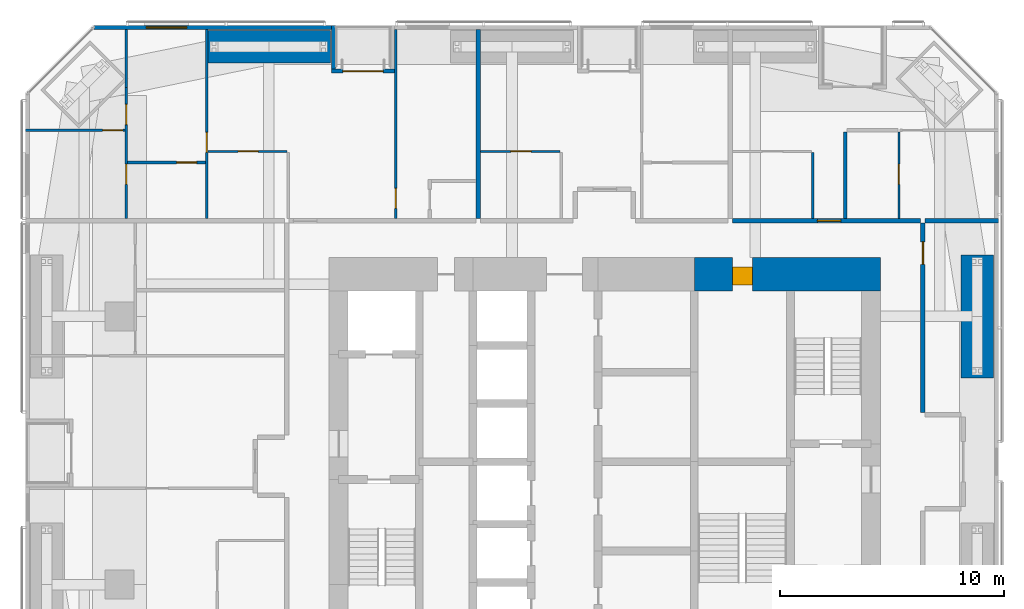
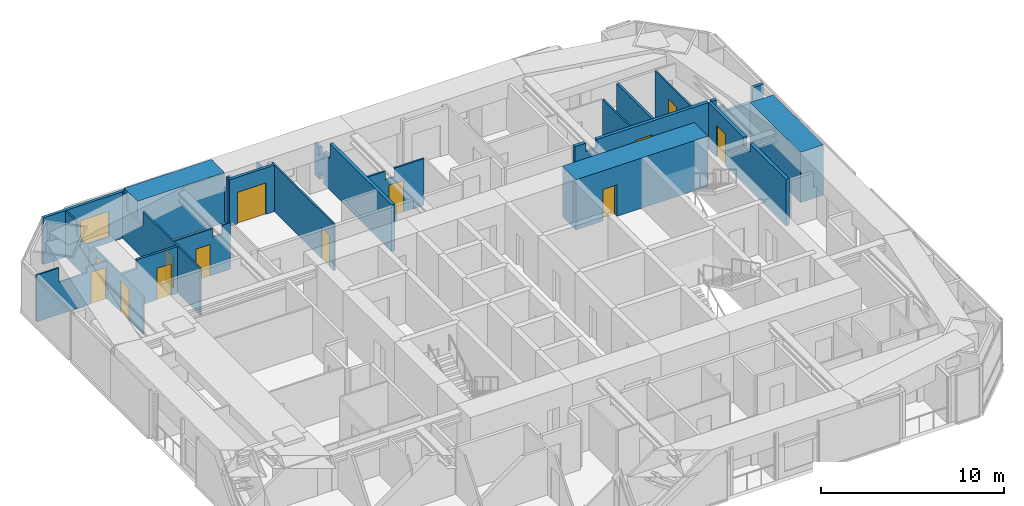
# One storey, part 21 of 23: 21 walls, 13 doors, 1 window, 14 openings.
"""IFC4 building model written with IfcOpenShell, lengths in metres."""

from ifc_helpers import new_model, si_unit, direction, frame, frame_2d, origin, place, context, subcontext, project, spatial, polyline, rectangle, outline, extrude, material, layer, layer_set, constituent, constituent_set, type_object, element, fill, save


model = new_model("IFC4")

# Units and contexts
model_context = context("Model", 3, precision=1e-05, world=origin(), true_north=direction((0.0, 1.0)))
body_context = subcontext(model_context, "Body", "Model", "MODEL_VIEW")
ifc_project = project(units=[si_unit("LENGTHUNIT", "METRE"), si_unit("AREAUNIT", "SQUARE_METRE"), si_unit("VOLUMEUNIT", "CUBIC_METRE"), si_unit("PLANEANGLEUNIT", "RADIAN"), si_unit("MASSUNIT", "GRAM", prefix="KILO")], contexts=[model_context])

# Site, building, storey
site_placement = place(None, origin())
site = spatial("IfcSite", under=ifc_project, at=site_placement, CompositionType="ELEMENT")
building_placement = place(site_placement, origin())
building = spatial("IfcBuilding", under=site, at=building_placement, Name="Jalousie Tower", CompositionType="ELEMENT")
storey_placement = place(building_placement, frame((0.0, 0.0, 88.10009765625)))
storey = spatial("IfcBuildingStorey", under=building, at=storey_placement, Name="L23", CompositionType="ELEMENT", Elevation=88.10009765625)

# Wall, opening, door
ifc_material_1 = material(Name="Concrete block ASTM C90", Category="concrete")
ifc_constituent_1 = constituent(ifc_material_1, Name="Body")
ifc_material_2 = material(Name="Render")
ifc_constituent_2 = constituent(ifc_material_2, Name="Finish")
ifc_constituent_set_1 = constituent_set(constituents=[ifc_constituent_1, ifc_constituent_2])
wall_type_1 = type_object("IfcWallType", Name="BATHROOM WALL 150", PredefinedType="PLUMBINGWALL", material=ifc_constituent_set_1)
wall_1_placement = place(storey_placement, frame((10.550048828125, 31.875, 0.0), z_axis=(0.0, 0.0, 1.0), x_axis=(1.0, 0.0, 0.0)))
wall_1 = element("IfcWall", 1, at=wall_1_placement, inside=storey, type_object=wall_type_1, Name="Bathroom Wall 150 L23", PredefinedType="PLUMBINGWALL", context=body_context, shape_type="SweptSolid", body=[
    extrude(outline(polyline([(0.0, 0.0), (3.5, 0.0), (3.5, 3.10986328125), (0.93505859375, 3.10986328125), (0.93505859375, 2.510009765625), (0.0, 2.510009765625), (0.0, 3.10986328125), (0.0, 0.0)])), frame((0.0, 0.074951171875, 0.0), z_axis=(0.0, -1.0, 0.0), x_axis=(1.0, 0.0, 0.0)), (0.0, 0.0, 1.0), 0.14990234375),
])
opening_1_placement = place(wall_1_placement, frame((2.199951171875, 0.0, 0.0)))
opening_1 = element("IfcOpeningElement", 2, at=opening_1_placement, cuts=wall_1, Name="Opening D3", PredefinedType="OPENING", context=body_context, shape_type="SweptSolid", body=[
    extrude(rectangle(XDim=0.89990234375, YDim=2.10009765625, at=frame_2d((0.449951171875, 1.050048828125))), frame((0.0, 0.0849609375, 0.0), z_axis=(0.0, -1.0, 0.0), x_axis=(1.0, 0.0, 0.0)), (0.0, 0.0, 1.0), 0.169921875),
])
ifc_material_3 = material(Name="Timber door", Category="wood")
door_type_1 = type_object("IfcDoorType", Name="BATHROOM DOOR 900", OperationType="SINGLE_SWING_LEFT", PredefinedType="DOOR", material=ifc_material_3)
door_1_placement = place(opening_1_placement, frame((0.89990234375, 0.0, 0.0), z_axis=(0.0, 0.0, 1.0), x_axis=(-1.0, 0.0, 0.0)))
door_1 = element("IfcDoor", 3, at=door_1_placement, inside=storey, type_object=door_type_1, Name="Apartment 2304 bedroom 2 bathroom door", OperationType="SINGLE_SWING_LEFT", OverallHeight=2.10009765625, OverallWidth=0.89990234375, PredefinedType="DOOR", context=body_context, shape_type="SweptSolid", body=[
    extrude(rectangle(XDim=0.89990234375, YDim=2.10009765625, at=frame_2d((0.449951171875, 1.050048828125))), frame((0.0, 0.02490234375, 0.0), z_axis=(0.0, -1.0, 0.0), x_axis=(1.0, 0.0, 0.0)), (0.0, 0.0, 1.0), 0.050048828125),
])
fill(opening_1, door_1)

# Wall
wall_2_placement = place(storey_placement, frame((42.64990234375, 33.2490234375, 0.0), z_axis=(0.0, 0.0, 1.0), x_axis=(0.0, -1.0, 0.0)))
element("IfcWall", 4, at=wall_2_placement, inside=storey, type_object=wall_type_1, Name="Bathroom Wall 150 L23", PredefinedType="PLUMBINGWALL", context=body_context, shape_type="SweptSolid", body=[
    extrude(rectangle(XDim=3.8740234375, YDim=0.14990234375, at=frame_2d((1.93701171875, 0.0))), origin(), (0.0, 0.0, 1.0), 3.10986328125),
])

# Wall, opening, door
ifc_material_4 = material(Name="Concrete f'c 120 MPa", Category="concrete")
ifc_layer_1 = layer(ifc_material_4, 1.5)
ifc_layer_set_1 = layer_set([ifc_layer_1], Name="Concrete f'c 120 MPa")
wall_type_2 = type_object("IfcWallType", Name="CORE WALL 1500", PredefinedType="SHEAR", material=ifc_layer_set_1)
wall_3_placement = place(storey_placement, frame((44.22509765625, 26.875, 0.0), z_axis=(0.0, 0.0, 1.0), x_axis=(-1.0, 0.0, 0.0)))
wall_3 = element("IfcWall", 5, at=wall_3_placement, inside=storey, type_object=wall_type_2, Name="Core wall NA L23", PredefinedType="SHEAR", context=body_context, shape_type="SweptSolid", body=[
    extrude(rectangle(XDim=8.3251953125, YDim=1.5, at=frame_2d((4.16259765625, 0.0))), origin(), (0.0, 0.0, 1.0), 3.349853515625),
])
opening_2_placement = place(wall_3_placement, frame((5.72509765625, 0.0, 0.0)))
opening_2 = element("IfcOpeningElement", 6, at=opening_2_placement, cuts=wall_3, Name="Opening D18", PredefinedType="OPENING", context=body_context, shape_type="SweptSolid", body=[
    extrude(rectangle(XDim=0.89990234375, YDim=2.10009765625, at=frame_2d((0.449951171875, 1.050048828125))), frame((0.0, 0.760009765625, 0.0), z_axis=(0.0, -1.0, 0.0), x_axis=(1.0, 0.0, 0.0)), (0.0, 0.0, 1.0), 1.52001953125),
])
ifc_material_5 = material(Name="Steel fire door", Category="steel")
door_type_2 = type_object("IfcDoorType", Name="CLEANER'S STORE DOOR 900", OperationType="SINGLE_SWING_LEFT", PredefinedType="DOOR", material=ifc_material_5)
door_2_placement = place(opening_2_placement, origin())
door_2 = element("IfcDoor", 7, at=door_2_placement, inside=storey, type_object=door_type_2, Name="Cleaner's store door", OperationType="SINGLE_SWING_LEFT", OverallHeight=2.10009765625, OverallWidth=0.89990234375, PredefinedType="DOOR", context=body_context, shape_type="SweptSolid", body=[
    extrude(rectangle(XDim=0.89990234375, YDim=2.10009765625, at=frame_2d((0.449951171875, 1.050048828125))), frame((0.0, 0.47021484375, 0.0), z_axis=(0.0, -1.0, 0.0), x_axis=(1.0, 0.0, 0.0)), (0.0, 0.0, 1.0), 0.800048828125),
])
fill(opening_2, door_2)

ifc_material_6 = material(Name="Concrete block ASTM C90", Category="concrete")
ifc_constituent_3 = constituent(ifc_material_6, Name="Body")
ifc_material_7 = material(Name="Render")
ifc_constituent_4 = constituent(ifc_material_7, Name="Finish")
ifc_constituent_set_2 = constituent_set(constituents=[ifc_constituent_3, ifc_constituent_4])
wall_type_3 = type_object("IfcWallType", Name="CORRIDOR WALL 200", PredefinedType="PARTITIONING", material=ifc_constituent_set_2)
wall_4_placement = place(storey_placement, frame((37.60009765625, 29.27490234375, 0.0), z_axis=(0.0, 0.0, 1.0), x_axis=(1.0, 0.0, 0.0)))
wall_4 = element("IfcWall", 8, at=wall_4_placement, inside=storey, type_object=wall_type_3, Name="Corridor Wall 200 L23", PredefinedType="PARTITIONING", context=body_context, shape_type="SweptSolid", body=[
    extrude(outline(polyline([(0.0, 0.0), (8.4248046875, 0.0), (8.425048828125, 3.10986328125), (1.37109375, 3.10986328125), (1.37109375, 2.53076171875), (0.6787109375, 2.53076171875), (0.6787109375, 3.10986328125), (0.0, 3.10986328125), (0.0, 0.0)])), frame((0.0, 0.10009765625, 0.0), z_axis=(0.0, -1.0, 0.0), x_axis=(1.0, 0.0, 0.0)), (0.0, 0.0, 1.0), 0.199951171875),
])
opening_3_placement = place(wall_4_placement, frame((3.800048828125, 0.0, 0.0)))
opening_3 = element("IfcOpeningElement", 9, at=opening_3_placement, cuts=wall_4, Name="Opening D1", PredefinedType="OPENING", context=body_context, shape_type="SweptSolid", body=[
    extrude(rectangle(XDim=1.050048828125, YDim=2.199951171875, at=frame_2d((0.52490234375, 1.10009765625))), frame((0.0, 0.10986328125, 0.0), z_axis=(0.0, -1.0, 0.0), x_axis=(1.0, 0.0, 0.0)), (0.0, 0.0, 1.0), 0.219970703125),
])
ifc_material_8 = material(Name="Timber fire door", Category="wood")
door_type_3 = type_object("IfcDoorType", Name="APARTMENT ENTRANCE DOOR 1050", OperationType="SINGLE_SWING_LEFT", PredefinedType="DOOR", material=ifc_material_8)
door_3_placement = place(opening_3_placement, origin())
door_3 = element("IfcDoor", 10, at=door_3_placement, inside=storey, type_object=door_type_3, Name="Apartment 2306 entrance", OperationType="SINGLE_SWING_RIGHT", OverallHeight=2.199951171875, OverallWidth=1.050048828125, PredefinedType="DOOR", context=body_context, shape_type="SweptSolid", body=[
    extrude(rectangle(XDim=1.050048828125, YDim=2.199951171875, at=frame_2d((0.52490234375, 1.10009765625))), frame((0.0, 0.02490234375, 0.0), z_axis=(0.0, -1.0, 0.0), x_axis=(1.0, 0.0, 0.0)), (0.0, 0.0, 1.0), 0.050048828125),
])
fill(opening_3, door_3)

wall_5_placement = place(storey_placement, frame((46.125, 20.699951171875, 0.0), z_axis=(0.0, 0.0, 1.0), x_axis=(0.0, 1.0, 0.0)))
wall_5 = element("IfcWall", 11, at=wall_5_placement, inside=storey, type_object=wall_type_3, Name="Corridor Wall 200 L23", PredefinedType="PARTITIONING", context=body_context, shape_type="SweptSolid", body=[
    extrude(outline(polyline([(0.0, 0.0), (8.47509765625, 0.0), (8.47509765625, 3.10986328125), (4.646240234375, 3.10986328125), (4.646240234375, 2.53076171875), (3.953857421875, 2.53076171875), (3.953857421875, 3.10986328125), (0.0, 3.10986328125), (0.0, 0.0)])), frame((0.0, 0.10009765625, 0.0), z_axis=(0.0, -1.0, 0.0), x_axis=(1.0, 0.0, 0.0)), (0.0, 0.0, 1.0), 0.199951171875),
])
opening_4_placement = place(wall_5_placement, frame((6.625, 0.0, 0.0)))
opening_4 = element("IfcOpeningElement", 12, at=opening_4_placement, cuts=wall_5, Name="Opening D21", PredefinedType="OPENING", context=body_context, shape_type="SweptSolid", body=[
    extrude(rectangle(XDim=1.0, YDim=2.10009765625, at=frame_2d((0.5, 1.050048828125))), frame((0.0, 0.10986328125, 0.0), z_axis=(0.0, -1.0, 0.0), x_axis=(1.0, 0.0, 0.0)), (0.0, 0.0, 1.0), 0.219970703125),
])
ifc_material_9 = material(Name="Timber fire door", Category="wood")
door_type_4 = type_object("IfcDoorType", Name="CORRIDOR DOOR 1000", OperationType="SINGLE_SWING_LEFT", PredefinedType="DOOR", material=ifc_material_9)
door_4_placement = place(opening_4_placement, frame((1.0, 0.0, 0.0), z_axis=(0.0, 0.0, 1.0), x_axis=(-1.0, 0.0, 0.0)))
door_4 = element("IfcDoor", 13, at=door_4_placement, inside=storey, type_object=door_type_4, Name="Lounge second door", OperationType="SINGLE_SWING_LEFT", OverallHeight=2.10009765625, OverallWidth=1.0, PredefinedType="DOOR", context=body_context, shape_type="SweptSolid", body=[
    extrude(rectangle(XDim=1.0, YDim=2.10009765625, at=frame_2d((0.5, 1.050048828125))), frame((0.0, 0.02490234375, 0.0), z_axis=(0.0, -1.0, 0.0), x_axis=(1.0, 0.0, 0.0)), (0.0, 0.0, 1.0), 0.050048828125),
])
fill(opening_4, door_4)

# Wall, opening, window
ifc_material_10 = material(Name="Concrete f'c 40 MPa", Category="concrete")
ifc_constituent_5 = constituent(ifc_material_10, Name="Body")
ifc_material_11 = material(Name="Render, pastel sea green")
ifc_constituent_6 = constituent(ifc_material_11, Name="Finish")
ifc_constituent_set_3 = constituent_set(constituents=[ifc_constituent_5, ifc_constituent_6])
wall_type_4 = type_object("IfcWallType", Name="EXTERNAL WALL 175 SEA GREEN RENDER", PredefinedType="SOLIDWALL", material=ifc_constituent_set_3)
wall_6_placement = place(storey_placement, frame((19.675048828125, 37.91259765625, 0.0), z_axis=(0.0, 0.0, 1.0), x_axis=(-1.0, 0.0, 0.0)))
wall_6 = element("IfcWall", 14, at=wall_6_placement, inside=storey, type_object=wall_type_4, Name="External Wall 175 Sea Green Render L23", PredefinedType="SOLIDWALL", context=body_context, shape_type="SweptSolid", body=[
    extrude(outline(polyline([(0.0, 0.0), (10.623779296875, 0.0), (10.623779296875, 3.10986328125), (3.00341796875, 3.10986328125), (3.00341796875, 2.14990234375), (2.9580078125, 2.14990234375), (2.9580078125, 3.10986328125), (2.800048828125, 3.10986328125), (2.800048828125, 2.14990234375), (0.0, 2.14990234375), (0.0, 0.0)])), frame((0.0, 0.08740234375, 0.0), z_axis=(0.0, -1.0, 0.0), x_axis=(1.0, 0.0, 0.0)), (0.0, 0.0, 1.0), 0.175048828125),
])
opening_5_placement = place(wall_6_placement, frame((6.47509765625, 0.0, 0.39990234375)))
opening_5 = element("IfcOpeningElement", 15, at=opening_5_placement, cuts=wall_6, Name="Opening W-BED170", PredefinedType="OPENING", context=body_context, shape_type="SweptSolid", body=[
    extrude(rectangle(XDim=1.800048828125, YDim=1.699951171875, at=frame_2d((0.89990234375, 0.85009765625))), frame((0.0, 0.097412109375, 0.0), z_axis=(0.0, -1.0, 0.0), x_axis=(1.0, 0.0, 0.0)), (0.0, 0.0, 1.0), 0.195068359375),
])
ifc_material_12 = material(Name="Aluminium frame, impact-rated glazing", Category="aluminium")
window_type = type_object("IfcWindowType", Name="WINDOW BED 1800x1700", PartitioningType="SINGLE_PANEL", PredefinedType="WINDOW", material=ifc_material_12)
window_placement = place(opening_5_placement, origin())
window = element("IfcWindow", 16, at=window_placement, inside=storey, type_object=window_type, Name="Apartment 2304 bedroom 2 window", OverallHeight=1.699951171875, OverallWidth=1.800048828125, PartitioningType="SINGLE_PANEL", PredefinedType="WINDOW", context=body_context, shape_type="SweptSolid", body=[
    extrude(rectangle(XDim=1.800048828125, YDim=1.699951171875, at=frame_2d((0.89990234375, 0.85009765625))), frame((0.0, 0.030029296875, 0.0), z_axis=(0.0, -1.0, 0.0), x_axis=(1.0, 0.0, 0.0)), (0.0, 0.0, 1.0), 0.06005859375),
])
fill(opening_5, window)

# Wall, opening, door
wall_7_placement = place(storey_placement, frame((22.5, 35.96240234375, 0.0), z_axis=(0.0, 0.0, 1.0), x_axis=(-1.0, 0.0, 0.0)))
wall_7 = element("IfcWall", 17, at=wall_7_placement, inside=storey, type_object=wall_type_4, Name="External Wall 175 Sea Green Render L23", PredefinedType="SOLIDWALL", context=body_context, shape_type="SweptSolid", body=[
    extrude(rectangle(XDim=2.824951171875, YDim=0.175048828125, at=frame_2d((1.41259765625, 0.0))), origin(), (0.0, 0.0, 1.0), 3.10986328125),
])
opening_6_placement = place(wall_7_placement, frame((0.512451171875, 0.0, 0.0)))
opening_6 = element("IfcOpeningElement", 18, at=opening_6_placement, cuts=wall_7, Name="Opening D-BAL21", PredefinedType="OPENING", context=body_context, shape_type="SweptSolid", body=[
    extrude(rectangle(XDim=1.800048828125, YDim=2.10009765625, at=frame_2d((0.89990234375, 1.050048828125))), frame((0.0, 0.097412109375, 0.0), z_axis=(0.0, -1.0, 0.0), x_axis=(1.0, 0.0, 0.0)), (0.0, 0.0, 1.0), 0.195068359375),
])
ifc_material_13 = material(Name="Aluminium frame, impact-rated glazing", Category="aluminium")
door_type_5 = type_object("IfcDoorType", Name="BALCONY DOOR 1800x2100", OperationType="SLIDING_TO_LEFT", PredefinedType="DOOR", material=ifc_material_13)
door_5_placement = place(opening_6_placement, origin())
door_5 = element("IfcDoor", 19, at=door_5_placement, inside=storey, type_object=door_type_5, Name="Apartment 2304 living and dining room loggia door", OperationType="SLIDING_TO_LEFT", OverallHeight=2.10009765625, OverallWidth=1.800048828125, PredefinedType="DOOR", context=body_context, shape_type="SweptSolid", body=[
    extrude(rectangle(XDim=1.800048828125, YDim=2.10009765625, at=frame_2d((0.89990234375, 1.050048828125))), frame((0.0, 0.02490234375, 0.0), z_axis=(0.0, -1.0, 0.0), x_axis=(1.0, 0.0, 0.0)), (0.0, 0.0, 1.0), 0.050048828125),
])
fill(opening_6, door_5)

# Walls
wall_8_placement = place(storey_placement, frame((19.762451171875, 38.0, 0.0), z_axis=(0.0, 0.0, 1.0), x_axis=(0.0, -1.0, 0.0)))
element("IfcWall", 20, at=wall_8_placement, inside=storey, type_object=wall_type_4, Name="External Wall 175 Sea Green Render L23", PredefinedType="SOLIDWALL", context=body_context, shape_type="SweptSolid", body=[
    extrude(outline(polyline([(0.0, 0.0), (1.949951171875, 0.0), (1.949951171875, 3.10986328125), (1.75, 3.10986328125), (1.75, 2.14990234375), (0.14990234375, 2.14990234375), (0.14990234375, 3.10986328125), (0.0, 3.10986328125), (0.0, 0.0)])), frame((0.0, 0.08740234375, 0.0), z_axis=(0.0, -1.0, 0.0), x_axis=(1.0, 0.0, 0.0)), (0.0, 0.0, 1.0), 0.175048828125),
])
ifc_material_14 = material(Name="Gypsum board", Category="gypsum")
ifc_constituent_7 = constituent(ifc_material_14, Name="Body")
ifc_material_15 = material(Name="Light-gauge steel studs ASTM A653 SS Grade 33", Category="steel")
ifc_constituent_8 = constituent(ifc_material_15, Name="Framing")
ifc_constituent_set_4 = constituent_set(constituents=[ifc_constituent_7, ifc_constituent_8])
wall_type_5 = type_object("IfcWallType", Name="PARTITION 100", PredefinedType="PARTITIONING", material=ifc_constituent_set_4)
wall_9_placement = place(storey_placement, frame((10.5, 37.824951171875, 0.0), z_axis=(0.0, 0.0, 1.0), x_axis=(0.0, -1.0, 0.0)))
element("IfcWall", 21, at=wall_9_placement, inside=storey, type_object=wall_type_5, Name="Partition 100 L23-A", PredefinedType="PARTITIONING", context=body_context, shape_type="SweptSolid", body=[
    extrude(outline(polyline([(0.0, 0.0), (2.5849609375, 0.0), (2.5849609375, 2.14990234375), (1.197509765625, 2.14990234375), (1.197509765625, 3.10986328125), (0.0, 3.10986328125), (0.0, 0.0)])), frame((0.0, 0.050048828125, 0.0), z_axis=(0.0, -1.0, 0.0), x_axis=(1.0, 0.0, 0.0)), (0.0, 0.0, 1.0), 0.10009765625),
])

# Wall, openings, doors
wall_10_placement = place(storey_placement, frame((10.5, 35.239990234375, 0.0), z_axis=(0.0, 0.0, 1.0), x_axis=(0.0, -1.0, 0.0)))
wall_10 = element("IfcWall", 22, at=wall_10_placement, inside=storey, type_object=wall_type_5, Name="Partition 100 L23-B", PredefinedType="PARTITIONING", context=body_context, shape_type="SweptSolid", body=[
    extrude(outline(polyline([(0.0, 0.0), (5.864990234375, 0.0), (5.864990234375, 2.510009765625), (0.3681640625, 2.510009765625), (0.3681640625, 2.14990234375), (0.0, 2.14990234375), (0.0, 0.0)])), frame((0.0, 0.050048828125, 0.0), z_axis=(0.0, -1.0, 0.0), x_axis=(1.0, 0.0, 0.0)), (0.0, 0.0, 1.0), 0.10009765625),
])
opening_7_placement = place(wall_10_placement, frame((0.76611328125, 0.0, 0.0)))
opening_7 = element("IfcOpeningElement", 23, at=opening_7_placement, cuts=wall_10, Name="Opening D2", PredefinedType="OPENING", context=body_context, shape_type="SweptSolid", body=[
    extrude(rectangle(XDim=0.89990234375, YDim=2.10009765625, at=frame_2d((0.449951171875, 1.050048828125))), frame((0.0, 0.06005859375, 0.0), z_axis=(0.0, -1.0, 0.0), x_axis=(1.0, 0.0, 0.0)), (0.0, 0.0, 1.0), 0.1201171875),
])
opening_8_placement = place(wall_10_placement, frame((3.440673828125, 0.0, 0.0)))
opening_8 = element("IfcOpeningElement", 24, at=opening_8_placement, cuts=wall_10, Name="Opening D3", PredefinedType="OPENING", context=body_context, shape_type="SweptSolid", body=[
    extrude(rectangle(XDim=0.89990234375, YDim=2.10009765625, at=frame_2d((0.449951171875, 1.050048828125))), frame((0.0, 0.06005859375, 0.0), z_axis=(0.0, -1.0, 0.0), x_axis=(1.0, 0.0, 0.0)), (0.0, 0.0, 1.0), 0.1201171875),
])
door_6_placement = place(opening_8_placement, origin())
door_6 = element("IfcDoor", 25, at=door_6_placement, inside=storey, type_object=door_type_1, Name="Apartment 2304 bedroom 1 bathroom door", OperationType="SINGLE_SWING_LEFT", OverallHeight=2.10009765625, OverallWidth=0.89990234375, PredefinedType="DOOR", context=body_context, shape_type="SweptSolid", body=[
    extrude(rectangle(XDim=0.89990234375, YDim=2.10009765625, at=frame_2d((0.449951171875, 1.050048828125))), frame((0.0, 0.02490234375, 0.0), z_axis=(0.0, -1.0, 0.0), x_axis=(1.0, 0.0, 0.0)), (0.0, 0.0, 1.0), 0.050048828125),
])
fill(opening_8, door_6)
ifc_material_16 = material(Name="Timber door", Category="wood")
door_type_6 = type_object("IfcDoorType", Name="BEDROOM DOOR 900", OperationType="SINGLE_SWING_LEFT", PredefinedType="DOOR", material=ifc_material_16)
door_7_placement = place(opening_7_placement, origin())
door_7 = element("IfcDoor", 26, at=door_7_placement, inside=storey, type_object=door_type_6, Name="Apartment 2304 bedroom 1 door", OperationType="SINGLE_SWING_RIGHT", OverallHeight=2.10009765625, OverallWidth=0.89990234375, PredefinedType="DOOR", context=body_context, shape_type="SweptSolid", body=[
    extrude(rectangle(XDim=0.89990234375, YDim=2.10009765625, at=frame_2d((0.449951171875, 1.050048828125))), frame((0.0, 0.02490234375, 0.0), z_axis=(0.0, -1.0, 0.0), x_axis=(1.0, 0.0, 0.0)), (0.0, 0.0, 1.0), 0.050048828125),
])
fill(opening_7, door_7)

# Wall, opening, door
wall_11_placement = place(storey_placement, frame((14.10009765625, 37.824951171875, 0.0), z_axis=(0.0, 0.0, 1.0), x_axis=(0.0, -1.0, 0.0)))
wall_11 = element("IfcWall", 27, at=wall_11_placement, inside=storey, type_object=wall_type_5, Name="Partition 100 L23", PredefinedType="PARTITIONING", context=body_context, shape_type="SweptSolid", body=[
    extrude(outline(polyline([(0.0, 0.0), (8.449951171875, 0.0), (8.449951171875, 3.10986328125), (2.21875, 3.10986328125), (2.21875, 2.14990234375), (0.46337890625, 2.14990234375), (0.46337890625, 3.10986328125), (0.0, 3.10986328125), (0.0, 0.0)])), frame((0.0, 0.050048828125, 0.0), z_axis=(0.0, -1.0, 0.0), x_axis=(1.0, 0.0, 0.0)), (0.0, 0.0, 1.0), 0.10009765625),
])
opening_9_placement = place(wall_11_placement, frame((4.60009765625, 0.0, 0.0)))
opening_9 = element("IfcOpeningElement", 28, at=opening_9_placement, cuts=wall_11, Name="Opening D2", PredefinedType="OPENING", context=body_context, shape_type="SweptSolid", body=[
    extrude(rectangle(XDim=0.89990234375, YDim=2.10009765625, at=frame_2d((0.449951171875, 1.050048828125))), frame((0.0, 0.06005859375, 0.0), z_axis=(0.0, -1.0, 0.0), x_axis=(1.0, 0.0, 0.0)), (0.0, 0.0, 1.0), 0.1201171875),
])
door_8_placement = place(opening_9_placement, frame((0.89990234375, 0.0, 0.0), z_axis=(0.0, 0.0, 1.0), x_axis=(-1.0, 0.0, 0.0)))
door_8 = element("IfcDoor", 29, at=door_8_placement, inside=storey, type_object=door_type_6, Name="Apartment 2304 bedroom 2 door", OperationType="SINGLE_SWING_LEFT", OverallHeight=2.10009765625, OverallWidth=0.89990234375, PredefinedType="DOOR", context=body_context, shape_type="SweptSolid", body=[
    extrude(rectangle(XDim=0.89990234375, YDim=2.10009765625, at=frame_2d((0.449951171875, 1.050048828125))), frame((0.0, 0.02490234375, 0.0), z_axis=(0.0, -1.0, 0.0), x_axis=(1.0, 0.0, 0.0)), (0.0, 0.0, 1.0), 0.050048828125),
])
fill(opening_9, door_8)

wall_12_placement = place(storey_placement, frame((6.0, 33.32421875, 0.0), z_axis=(0.0, 0.0, 1.0), x_axis=(1.0, 0.0, 0.0)))
wall_12 = element("IfcWall", 30, at=wall_12_placement, inside=storey, type_object=wall_type_5, Name="Partition 100 L23", PredefinedType="PARTITIONING", context=body_context, shape_type="SweptSolid", body=[
    extrude(outline(polyline([(0.0, 0.0), (4.449951171875, 0.0), (4.449951171875, 3.10986328125), (4.449951171875, 2.510009765625), (3.171142578125, 2.510009765625), (3.171142578125, 2.14990234375), (1.4287109375, 2.14990234375), (1.4287109375, 3.10986328125), (0.0, 3.10986328125), (0.0, 0.0)])), frame((0.0, 0.050048828125, 0.0), z_axis=(0.0, -1.0, 0.0), x_axis=(1.0, 0.0, 0.0)), (0.0, 0.0, 1.0), 0.10009765625),
])
opening_10_placement = place(wall_12_placement, frame((3.449951171875, 0.0, 0.0)))
opening_10 = element("IfcOpeningElement", 31, at=opening_10_placement, cuts=wall_12, Name="Opening D7", PredefinedType="OPENING", context=body_context, shape_type="SweptSolid", body=[
    extrude(rectangle(XDim=0.89990234375, YDim=2.10009765625, at=frame_2d((0.449951171875, 1.050048828125))), frame((0.0, 0.06005859375, 0.0), z_axis=(0.0, -1.0, 0.0), x_axis=(1.0, 0.0, 0.0)), (0.0, 0.0, 1.0), 0.1201171875),
])
ifc_material_17 = material(Name="Timber door", Category="wood")
door_type_7 = type_object("IfcDoorType", Name="INTERNAL DOOR 900", OperationType="SINGLE_SWING_LEFT", PredefinedType="DOOR", material=ifc_material_17)
door_9_placement = place(opening_10_placement, frame((0.89990234375, 0.0, 0.0), z_axis=(0.0, 0.0, 1.0), x_axis=(-1.0, 0.0, 0.0)))
door_9 = element("IfcDoor", 32, at=door_9_placement, inside=storey, type_object=door_type_7, Name="Apartment 2304 bedroom 1 dressing hall door", OperationType="SINGLE_SWING_LEFT", OverallHeight=2.10009765625, OverallWidth=0.89990234375, PredefinedType="DOOR", context=body_context, shape_type="SweptSolid", body=[
    extrude(rectangle(XDim=0.89990234375, YDim=2.10009765625, at=frame_2d((0.449951171875, 1.050048828125))), frame((0.0, 0.02490234375, 0.0), z_axis=(0.0, -1.0, 0.0), x_axis=(1.0, 0.0, 0.0)), (0.0, 0.0, 1.0), 0.050048828125),
])
fill(opening_10, door_9)

wall_13_placement = place(storey_placement, frame((22.550048828125, 37.824951171875, 0.0), z_axis=(0.0, 0.0, 1.0), x_axis=(0.0, -1.0, 0.0)))
wall_13 = element("IfcWall", 33, at=wall_13_placement, inside=storey, type_object=wall_type_5, Name="Partition 100 L23", PredefinedType="PARTITIONING", context=body_context, shape_type="SweptSolid", body=[
    extrude(outline(polyline([(0.0, 0.0), (8.449951171875, 0.0), (8.449951171875, 3.10986328125), (1.635009765625, 3.10986328125), (1.635009765625, 2.14990234375), (0.0, 2.14990234375), (0.0, 3.10986328125), (0.0, 0.0)])), frame((0.0, 0.050048828125, 0.0), z_axis=(0.0, -1.0, 0.0), x_axis=(1.0, 0.0, 0.0)), (0.0, 0.0, 1.0), 0.10009765625),
])
opening_11_placement = place(wall_13_placement, frame((7.10009765625, 0.0, 0.0)))
opening_11 = element("IfcOpeningElement", 34, at=opening_11_placement, cuts=wall_13, Name="Opening D2", PredefinedType="OPENING", context=body_context, shape_type="SweptSolid", body=[
    extrude(rectangle(XDim=0.89990234375, YDim=2.10009765625, at=frame_2d((0.449951171875, 1.050048828125))), frame((0.0, 0.06005859375, 0.0), z_axis=(0.0, -1.0, 0.0), x_axis=(1.0, 0.0, 0.0)), (0.0, 0.0, 1.0), 0.1201171875),
])
door_10_placement = place(opening_11_placement, origin())
door_10 = element("IfcDoor", 35, at=door_10_placement, inside=storey, type_object=door_type_6, Name="Apartment 2304 study door", OperationType="SINGLE_SWING_RIGHT", OverallHeight=2.10009765625, OverallWidth=0.89990234375, PredefinedType="DOOR", context=body_context, shape_type="SweptSolid", body=[
    extrude(rectangle(XDim=0.89990234375, YDim=2.10009765625, at=frame_2d((0.449951171875, 1.050048828125))), frame((0.0, 0.02490234375, 0.0), z_axis=(0.0, -1.0, 0.0), x_axis=(1.0, 0.0, 0.0)), (0.0, 0.0, 1.0), 0.050048828125),
])
fill(opening_11, door_10)

wall_14_placement = place(storey_placement, frame((14.14990234375, 32.375, 0.0), z_axis=(0.0, 0.0, 1.0), x_axis=(1.0, 0.0, 0.0)))
wall_14 = element("IfcWall", 36, at=wall_14_placement, inside=storey, type_object=wall_type_5, Name="Partition 100 L23", PredefinedType="PARTITIONING", context=body_context, shape_type="SweptSolid", body=[
    extrude(outline(polyline([(0.0, 0.0), (3.550048828125, 0.0), (3.550048828125, 3.10986328125), (3.021240234375, 3.10986328125), (3.021240234375, 2.53076171875), (2.4287109375, 2.53076171875), (2.4287109375, 3.10986328125), (0.0, 3.10986328125), (0.0, 0.0)])), frame((0.0, 0.050048828125, 0.0), z_axis=(0.0, -1.0, 0.0), x_axis=(1.0, 0.0, 0.0)), (0.0, 0.0, 1.0), 0.10009765625),
])
opening_12_placement = place(wall_14_placement, frame((1.35009765625, 0.0, 0.0)))
opening_12 = element("IfcOpeningElement", 37, at=opening_12_placement, cuts=wall_14, Name="Opening D7", PredefinedType="OPENING", context=body_context, shape_type="SweptSolid", body=[
    extrude(rectangle(XDim=0.89990234375, YDim=2.10009765625, at=frame_2d((0.449951171875, 1.050048828125))), frame((0.0, 0.06005859375, 0.0), z_axis=(0.0, -1.0, 0.0), x_axis=(1.0, 0.0, 0.0)), (0.0, 0.0, 1.0), 0.1201171875),
])
door_11_placement = place(opening_12_placement, origin())
door_11 = element("IfcDoor", 38, at=door_11_placement, inside=storey, type_object=door_type_7, Name="Apartment 2304 kitchen door", OperationType="SINGLE_SWING_LEFT", OverallHeight=2.10009765625, OverallWidth=0.89990234375, PredefinedType="DOOR", context=body_context, shape_type="SweptSolid", body=[
    extrude(rectangle(XDim=0.89990234375, YDim=2.10009765625, at=frame_2d((0.449951171875, 1.050048828125))), frame((0.0, 0.02490234375, 0.0), z_axis=(0.0, -1.0, 0.0), x_axis=(1.0, 0.0, 0.0)), (0.0, 0.0, 1.0), 0.050048828125),
])
fill(opening_12, door_11)

wall_15_placement = place(storey_placement, frame((26.35009765625, 32.375, 0.0), z_axis=(0.0, 0.0, 1.0), x_axis=(1.0, 0.0, 0.0)))
wall_15 = element("IfcWall", 39, at=wall_15_placement, inside=storey, type_object=wall_type_5, Name="Partition 100 L23", PredefinedType="PARTITIONING", context=body_context, shape_type="SweptSolid", body=[
    extrude(outline(polyline([(0.0, 0.0), (3.5498046875, 0.0), (3.550048828125, 3.10986328125), (1.6962890625, 3.10986328125), (1.6962890625, 2.53076171875), (1.103759765625, 2.53076171875), (1.103759765625, 3.10986328125), (0.0, 3.10986328125), (0.0, 0.0)])), frame((0.0, 0.050048828125, 0.0), z_axis=(0.0, -1.0, 0.0), x_axis=(1.0, 0.0, 0.0)), (0.0, 0.0, 1.0), 0.10009765625),
])
opening_13_placement = place(wall_15_placement, frame((1.35009765625, 0.0, 0.0)))
opening_13 = element("IfcOpeningElement", 40, at=opening_13_placement, cuts=wall_15, Name="Opening D7", PredefinedType="OPENING", context=body_context, shape_type="SweptSolid", body=[
    extrude(rectangle(XDim=0.89990234375, YDim=2.10009765625, at=frame_2d((0.449951171875, 1.050048828125))), frame((0.0, 0.06005859375, 0.0), z_axis=(0.0, -1.0, 0.0), x_axis=(1.0, 0.0, 0.0)), (0.0, 0.0, 1.0), 0.1201171875),
])
door_12_placement = place(opening_13_placement, origin())
door_12 = element("IfcDoor", 41, at=door_12_placement, inside=storey, type_object=door_type_7, Name="Apartment 2305 kitchen door", OperationType="SINGLE_SWING_LEFT", OverallHeight=2.10009765625, OverallWidth=0.89990234375, PredefinedType="DOOR", context=body_context, shape_type="SweptSolid", body=[
    extrude(rectangle(XDim=0.89990234375, YDim=2.10009765625, at=frame_2d((0.449951171875, 1.050048828125))), frame((0.0, 0.02490234375, 0.0), z_axis=(0.0, -1.0, 0.0), x_axis=(1.0, 0.0, 0.0)), (0.0, 0.0, 1.0), 0.050048828125),
])
fill(opening_13, door_12)

wall_16_placement = place(storey_placement, frame((45.050048828125, 33.2490234375, 0.0), z_axis=(0.0, 0.0, 1.0), x_axis=(0.0, -1.0, 0.0)))
wall_16 = element("IfcWall", 42, at=wall_16_placement, inside=storey, type_object=wall_type_5, Name="Partition 100 L23", PredefinedType="PARTITIONING", context=body_context, shape_type="SweptSolid", body=[
    extrude(rectangle(XDim=3.8740234375, YDim=0.10009765625, at=frame_2d((1.93701171875, 0.0))), origin(), (0.0, 0.0, 1.0), 3.10986328125),
])
opening_14_placement = place(wall_16_placement, frame((1.44970703125, 0.0, 0.0)))
opening_14 = element("IfcOpeningElement", 43, at=opening_14_placement, cuts=wall_16, Name="Opening D3", PredefinedType="OPENING", context=body_context, shape_type="SweptSolid", body=[
    extrude(rectangle(XDim=0.89990234375, YDim=2.10009765625, at=frame_2d((0.449951171875, 1.050048828125))), frame((0.0, 0.06005859375, 0.0), z_axis=(0.0, -1.0, 0.0), x_axis=(1.0, 0.0, 0.0)), (0.0, 0.0, 1.0), 0.1201171875),
])
door_13_placement = place(opening_14_placement, frame((0.89990234375, 0.0, 0.0), z_axis=(0.0, 0.0, 1.0), x_axis=(-1.0, 0.0, 0.0)))
door_13 = element("IfcDoor", 44, at=door_13_placement, inside=storey, type_object=door_type_1, Name="Apartment 2306 bedroom 1 bathroom door", OperationType="SINGLE_SWING_RIGHT", OverallHeight=2.10009765625, OverallWidth=0.89990234375, PredefinedType="DOOR", context=body_context, shape_type="SweptSolid", body=[
    extrude(rectangle(XDim=0.89990234375, YDim=2.10009765625, at=frame_2d((0.449951171875, 1.050048828125))), frame((0.0, 0.02490234375, 0.0), z_axis=(0.0, -1.0, 0.0), x_axis=(1.0, 0.0, 0.0)), (0.0, 0.0, 1.0), 0.050048828125),
])
fill(opening_14, door_13)

# Walls
wall_17_placement = place(storey_placement, frame((41.199951171875, 32.324951171875, 0.0), z_axis=(0.0, 0.0, 1.0), x_axis=(0.0, -1.0, 0.0)))
element("IfcWall", 45, at=wall_17_placement, inside=storey, type_object=wall_type_5, Name="Partition 100 L23", PredefinedType="PARTITIONING", context=body_context, shape_type="SweptSolid", body=[
    extrude(rectangle(XDim=2.949951171875, YDim=0.10009765625, at=frame_2d((1.47509765625, 0.0))), origin(), (0.0, 0.0, 1.0), 3.10986328125),
])
ifc_material_18 = material(Name="Concrete block ASTM C90", Category="concrete")
ifc_constituent_9 = constituent(ifc_material_18, Name="Body")
ifc_material_19 = material(Name="Render")
ifc_constituent_10 = constituent(ifc_material_19, Name="Finish")
ifc_constituent_set_5 = constituent_set(constituents=[ifc_constituent_9, ifc_constituent_10])
wall_type_6 = type_object("IfcWallType", Name="PARTY WALL 200", PredefinedType="PARTITIONING", material=ifc_constituent_set_5)
wall_18_placement = place(storey_placement, frame((26.25, 37.824951171875, 0.0), z_axis=(0.0, 0.0, 1.0), x_axis=(0.0, -1.0, 0.0)))
element("IfcWall", 46, at=wall_18_placement, inside=storey, type_object=wall_type_6, Name="Party Wall 200 L23", PredefinedType="PARTITIONING", context=body_context, shape_type="SweptSolid", body=[
    extrude(outline(polyline([(0.5263671875, 2.14990234375), (0.0, 2.14990234375), (0.0, 0.0), (0.5263671875, 0.0), (0.5263671875, 0.49072265625), (1.023681640625, 0.49072265625), (1.023681640625, 0.0), (8.449951171875, 0.0), (8.449951171875, 3.10986328125), (1.68505859375, 3.10986328125), (1.68505859375, 2.14990234375), (1.023681640625, 2.14990234375), (1.023681640625, 1.658935546875), (0.5263671875, 1.658935546875), (0.5263671875, 2.14990234375)])), frame((0.0, 0.10009765625, 0.0), z_axis=(0.0, -1.0, 0.0), x_axis=(1.0, 0.0, 0.0)), (0.0, 0.0, 1.0), 0.199951171875),
])
wall_19_placement = place(storey_placement, frame((46.22509765625, 29.27490234375, 0.0), z_axis=(0.0, 0.0, 1.0), x_axis=(1.0, 0.0, 0.0)))
element("IfcWall", 47, at=wall_19_placement, inside=storey, type_object=wall_type_6, Name="Party Wall 200 L23", PredefinedType="PARTITIONING", context=body_context, shape_type="SweptSolid", body=[
    extrude(outline(polyline([(0.0, 0.0), (3.27490234375, 0.0), (3.27490234375, 3.10986328125), (2.5537109375, 3.10986328125), (2.5537109375, 2.14990234375), (0.80517578125, 2.14990234375), (0.80517578125, 2.53076171875), (0.29736328125, 2.53076171875), (0.29736328125, 3.10986328125), (0.0, 3.10986328125), (0.0, 0.0)])), frame((0.0, 0.10009765625, 0.0), z_axis=(0.0, -1.0, 0.0), x_axis=(1.0, 0.0, 0.0)), (0.0, 0.0, 1.0), 0.199951171875),
])
ifc_material_20 = material(Name="Concrete f'c 120 MPa", Category="concrete")
ifc_layer_2 = layer(ifc_material_20, 1.449951171875)
ifc_layer_set_2 = layer_set([ifc_layer_2], Name="Concrete f'c 120 MPa")
wall_type_7 = type_object("IfcWallType", Name="RC WALL PIER 1450", PredefinedType="SHEAR", material=ifc_layer_set_2)
for number, where, z_axis, x_axis, name in (
    (48, (48.550048828125, 22.25, 0.0), (0.0, 0.0, 1.0), (0.0, 1.0, 0.0), "Wall pier 07 L23"),
    (49, (14.125, 37.050048828125, 0.0), (0.0, 0.0, 1.0), (1.0, 0.0, 0.0), "Wall pier 11 L23"),
):
    element("IfcWall", number, at=place(storey_placement, frame(where, z_axis=z_axis, x_axis=x_axis)), inside=storey, type_object=wall_type_7, Name=name, PredefinedType="SHEAR", context=body_context, shape_type="SweptSolid", body=[
        extrude(rectangle(XDim=5.5, YDim=1.449951171875, at=frame_2d((2.75, 0.0))), origin(), (0.0, 0.0, 1.0), 3.349853515625),
    ])

save(model, "model.ifc")
